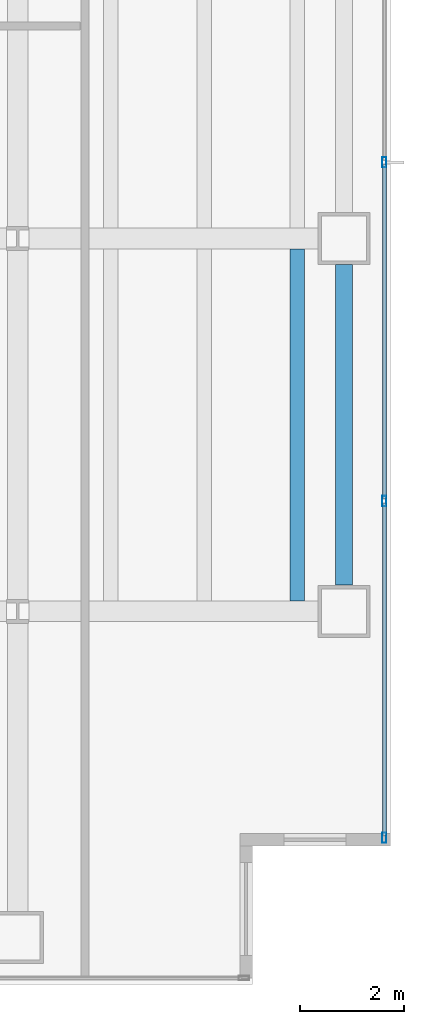
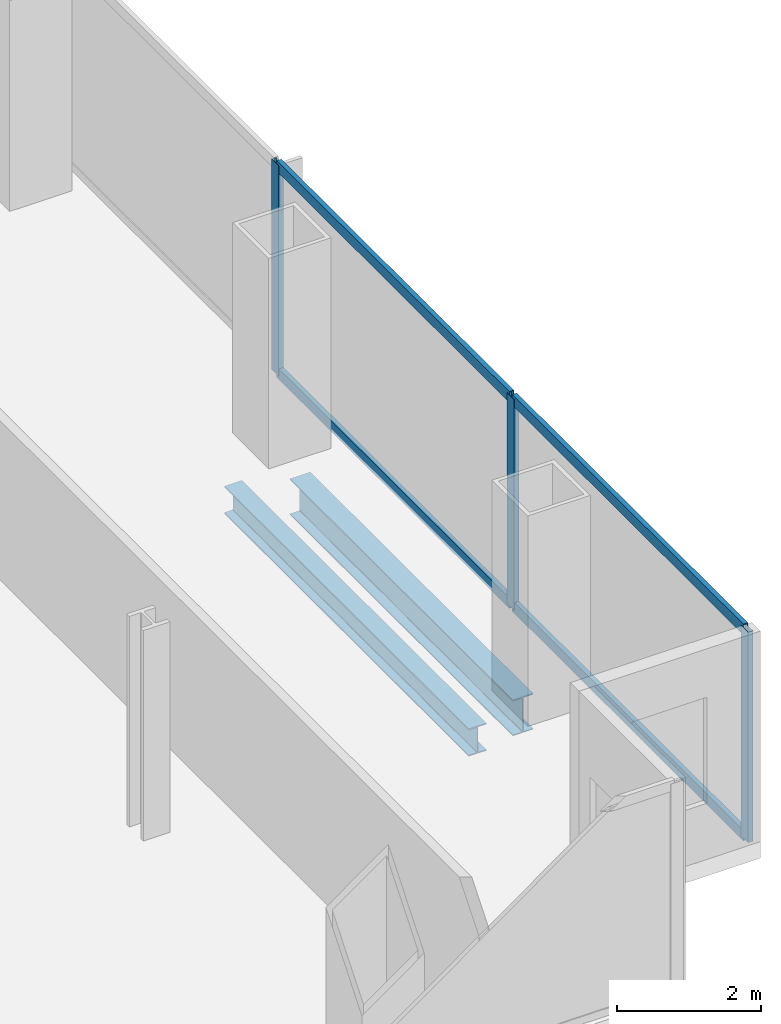
# One storey, part 10 of 25: 7 members, 2 beams, 1 element without a shape of its own.
"""IFC4 building model written with IfcOpenShell, lengths in metres."""

import ifcopenshell
import ifcopenshell.guid

model = None  # the IFC model being written
_history = None  # IfcOwnerHistory: only IFC2X3 demands one
_inside = {}  # id of a spatial element -> (the spatial element, [elements in it])
_under = {}  # id of a project, library or spatial element -> (it, [spatial elements below it])
_declared = {}  # id of a project -> (the project, [libraries it declares])
_typed = {}  # id of a type object -> (the type object, [elements of that type])
_made_of = {}  # id of a material, layer set ... -> (it, [elements and type objects made of it])


def new_model(schema):
    """Start an empty IFC model of exactly this schema.

    Asked for "IFC4X3", IfcOpenShell would pick the latest addendum, in which some entities
    have other attributes; the version numbers below select the first issue.
    IFC2X3 requires an IfcOwnerHistory on every rooted entity: one is made here for all.
    """
    global model, _history
    if schema == "IFC4X3":
        model = ifcopenshell.file(schema_version=(4, 3, 0, 0))
    else:
        model = ifcopenshell.file(schema=schema)
    _inside.clear()
    _under.clear()
    _declared.clear()
    _typed.clear()
    _made_of.clear()
    _history = None
    if model.schema == "IFC2X3":
        org = make("IfcOrganization", Name="unknown")
        user = make(
            "IfcPersonAndOrganization",
            ThePerson=make("IfcPerson", FamilyName="unknown"),
            TheOrganization=org,
        )
        app = make(
            "IfcApplication",
            ApplicationDeveloper=org,
            Version="unknown",
            ApplicationFullName="unknown",
            ApplicationIdentifier="unknown",
        )
        _history = make(
            "IfcOwnerHistory",
            OwningUser=user,
            OwningApplication=app,
            ChangeAction="ADDED",
            CreationDate=0,
        )
    return model


def make(cls, **values):
    """One entity of the class cls with the attributes given. An attribute that is None is left unset."""
    return model.create_entity(
        cls, **{name: value for name, value in values.items() if value is not None}
    )


def rooted(cls, **values):
    """An entity with a GlobalId (a new one), such as an element, a storey or a relation."""
    return make(cls, GlobalId=ifcopenshell.guid.new(), OwnerHistory=_history, **values)


def si_unit(unit_type, name, prefix=None):
    """IfcSIUnit, for example si_unit("LENGTHUNIT", "METRE", prefix="MILLI")."""
    return make("IfcSIUnit", UnitType=unit_type, Prefix=prefix, Name=name)


def assignment(units):
    """IfcUnitAssignment: the units of a project."""
    return None if units is None else make("IfcUnitAssignment", Units=units)


def point(xyz):
    """IfcCartesianPoint."""
    return None if xyz is None else make("IfcCartesianPoint", Coordinates=xyz)


def direction(xyz):
    """IfcDirection."""
    return None if xyz is None else make("IfcDirection", DirectionRatios=xyz)


def frame(location, z_axis=None, x_axis=None):
    """IfcAxis2Placement3D, a coordinate frame: its origin and axes. An axis left out is left unset."""
    return make(
        "IfcAxis2Placement3D",
        Location=point(location),
        Axis=direction(z_axis),
        RefDirection=direction(x_axis),
    )


def frame_2d(location, x_axis=None):
    """IfcAxis2Placement2D, a coordinate frame in the plane: its origin and x axis."""
    return make(
        "IfcAxis2Placement2D", Location=point(location), RefDirection=direction(x_axis)
    )


def origin():
    """The frame at (0, 0, 0) with its axes left unset."""
    return frame((0.0, 0.0, 0.0))


def origin_2d():
    """The frame at (0, 0) in the plane with its x axis left unset."""
    return frame_2d((0.0, 0.0))


def place(relative_to, where):
    """IfcLocalPlacement: puts the frame where relative to a parent placement (None: the world)."""
    return make(
        "IfcLocalPlacement", PlacementRelTo=relative_to, RelativePlacement=where
    )


def context(
    kind, dimensions, precision=None, world=None, true_north=None, identifier=None
):
    """IfcGeometricRepresentationContext, for example the 3D "Model" context."""
    return make(
        "IfcGeometricRepresentationContext",
        ContextIdentifier=identifier,
        ContextType=kind,
        CoordinateSpaceDimension=dimensions,
        Precision=precision,
        WorldCoordinateSystem=world,
        TrueNorth=true_north,
    )


def subcontext(parent, identifier, kind, view, scale=None):
    """IfcGeometricRepresentationSubContext, for example "Body" below "Model"."""
    return make(
        "IfcGeometricRepresentationSubContext",
        ContextIdentifier=identifier,
        ContextType=kind,
        ParentContext=parent,
        TargetScale=scale,
        TargetView=view,
    )


def project(units=None, contexts=None):
    """IfcProject with its units and contexts."""
    return rooted(
        "IfcProject",
        Name="project",
        RepresentationContexts=contexts,
        UnitsInContext=assignment(units),
    )


def spatial(cls, under=None, at=None, **own):
    """A site, building, storey or space (cls), placed at a placement, below another one or the project."""
    s = rooted(cls, ObjectPlacement=at, **own)
    if under is not None:
        _under.setdefault(under.id(), (under, []))[1].append(s)
    return s


def profile(cls, at=None, kind="AREA", **sizes):
    """A parametric profile (cls). Its sizes go by their IFC names, for example OverallWidth=200.0."""
    return make(cls, ProfileType=kind, Position=at, **sizes)


def hollow_rectangle(**sizes):
    """IfcRectangleHollowProfileDef."""
    return profile("IfcRectangleHollowProfileDef", **sizes)


def i_section(**sizes):
    """IfcIShapeProfileDef."""
    return profile("IfcIShapeProfileDef", **sizes)


def extrude(swept, where, along, depth):
    """IfcExtrudedAreaSolid: the profile swept, set in the frame where, extruded along a direction by depth."""
    return make(
        "IfcExtrudedAreaSolid",
        SweptArea=swept,
        Position=where,
        ExtrudedDirection=direction(along),
        Depth=depth,
    )


def shape(context_of_items, identifier, shape_type, items):
    """IfcShapeRepresentation: the items that make up one representation, for example the "Body"."""
    return make(
        "IfcShapeRepresentation",
        ContextOfItems=context_of_items,
        RepresentationIdentifier=identifier,
        RepresentationType=shape_type,
        Items=items,
    )


def material(Name=None, Category=None):
    """IfcMaterial."""
    return make("IfcMaterial", Name=Name, Category=Category)


def material_profile(
    of_material, cross_section, Name=None, Category=None, Priority=None
):
    """IfcMaterialProfile: a cross section and its material."""
    return make(
        "IfcMaterialProfile",
        Name=Name,
        Material=of_material,
        Profile=cross_section,
        Priority=Priority,
        Category=Category,
    )


def profile_set(profiles, Name=None, composite=None):
    """IfcMaterialProfileSet."""
    return make(
        "IfcMaterialProfileSet",
        Name=Name,
        MaterialProfiles=profiles,
        CompositeProfile=composite,
    )


def made_of(thing, what):
    """Note that an element or type object is made of a material, layer set ...; save() writes the relation."""
    if what is not None:
        _made_of.setdefault(what.id(), (what, []))[1].append(thing)
    return thing


def type_object(cls, material=None, **own):
    """A type object (cls), such as IfcWallType, which elements share."""
    return made_of(rooted(cls, **own), material)


def element(
    cls,
    number,
    at=None,
    inside=None,
    cuts=None,
    type_object=None,
    material=None,
    context=None,
    identifier="Body",
    shape_type=None,
    held_by="IfcProductDefinitionShape",
    body=None,
    shapes=None,
    **own,
):
    """One element of the class cls, such as IfcWall. Its Tag is "e" and its number.

    at: its placement. inside: the storey or other place that contains it. cuts: it is an
    opening in that element (IfcRelVoidsElement). A single representation is given by context,
    identifier, shape_type and body (its items); several are given by shapes. held_by: the class
    of the entity that holds the representations. save() writes the other relations.
    """
    e = rooted(cls, Tag="e%d" % number, ObjectPlacement=at, **own)
    if body is not None:
        shapes = [shape(context, identifier, shape_type, body)]
    if shapes is not None:
        e.Representation = make(held_by, Representations=shapes)
    if inside is not None:
        _inside.setdefault(inside.id(), (inside, []))[1].append(e)
    if cuts is not None:
        rooted(
            "IfcRelVoidsElement", RelatingBuildingElement=cuts, RelatedOpeningElement=e
        )
    if type_object is not None:
        _typed.setdefault(type_object.id(), (type_object, []))[1].append(e)
    return made_of(e, material)


def aggregate(whole, parts):
    """IfcRelAggregates: a whole, such as a stair, and the parts it consists of."""
    return rooted("IfcRelAggregates", RelatingObject=whole, RelatedObjects=parts)


def save(model, path):
    """Write the relations noted so far, then the file.

    IfcRelAggregates (storeys below a building ...), IfcRelContainedInSpatialStructure (elements
    in a storey), IfcRelDefinesByType, IfcRelAssociatesMaterial and IfcRelDeclares: one each for
    every whole, place, type object, material and project.
    """
    for whole, parts in _under.values():
        aggregate(whole, parts)
    for where, things in _inside.values():
        rooted(
            "IfcRelContainedInSpatialStructure",
            RelatedElements=things,
            RelatingStructure=where,
        )
    for kind, things in _typed.values():
        rooted("IfcRelDefinesByType", RelatedObjects=things, RelatingType=kind)
    for what, things in _made_of.values():
        rooted("IfcRelAssociatesMaterial", RelatedObjects=things, RelatingMaterial=what)
    for by, libraries in _declared.values():
        rooted("IfcRelDeclares", RelatingContext=by, RelatedDefinitions=libraries)
    model.write(path)


model = new_model("IFC4")

# Units and contexts
model_context = context("Model", 3, precision=1e-05, world=origin(), true_north=direction((0.0, 1.0)))
body_context = subcontext(model_context, "Body", "Model", "MODEL_VIEW")
ifc_project = project(units=[si_unit("LENGTHUNIT", "METRE"), si_unit("AREAUNIT", "SQUARE_METRE"), si_unit("VOLUMEUNIT", "CUBIC_METRE"), si_unit("PLANEANGLEUNIT", "RADIAN"), si_unit("MASSUNIT", "GRAM", prefix="KILO")], contexts=[model_context])

# Site, building, storey
site_placement = place(None, origin())
site = spatial("IfcSite", under=ifc_project, at=site_placement, CompositionType="ELEMENT")
building_placement = place(site_placement, origin())
building = spatial("IfcBuilding", under=site, at=building_placement, Name="Cobrela Telecom Tower", CompositionType="ELEMENT")
storey_placement = place(building_placement, frame((0.0, 0.0, 58.10009765625)))
storey = spatial("IfcBuildingStorey", under=building, at=storey_placement, Name="L14", CompositionType="ELEMENT", Elevation=58.10009765625)

# Beams
ifc_material_1 = material(Name="Steel ASTM A992 Grade 50", Category="steel")
ifc_material_profile_1 = material_profile(ifc_material_1, i_section(OverallWidth=0.281982421875, OverallDepth=0.467041015625, WebThickness=0.01220703125, FlangeThickness=0.01953125, FilletRadius=0.012939453125, at=origin_2d()), Name="W18X86")
ifc_profile_set_1 = profile_set([ifc_material_profile_1], Name="Steel ASTM A992 Grade 50")
beam_type_1 = type_object("IfcBeamType", Name="BM-JOIST-02", PredefinedType="JOIST", material=ifc_profile_set_1)
beam_1_placement = place(storey_placement, frame((48.60009765625, 7.404541015625, -0.513671875), z_axis=(0.0, 1.0, 0.0), x_axis=(-1.0, 0.0, 0.0)))
element("IfcBeam", 1, at=beam_1_placement, inside=storey, type_object=beam_type_1, Name="L14 Secondary Composite Floor Beam J63", PredefinedType="JOIST", context=body_context, shape_type="SweptSolid", body=[
    extrude(i_section(OverallWidth=0.281982421875, OverallDepth=0.467041015625, WebThickness=0.01220703125, FlangeThickness=0.01953125, FilletRadius=0.012939453125, at=origin_2d()), origin(), (0.0, 0.0, 1.0), 6.791015625),
])
ifc_material_profile_2 = material_profile(ifc_material_1, i_section(OverallWidth=0.324951171875, OverallDepth=0.612060546875, WebThickness=0.0126953125, FlangeThickness=0.01904296875, FilletRadius=0.014892578125, at=origin_2d()), Name="W24X104")
ifc_profile_set_2 = profile_set([ifc_material_profile_2], Name="Steel ASTM A992 Grade 50")
beam_type_2 = type_object("IfcBeamType", Name="BM-SPAND-02", PredefinedType="SPANDREL", material=ifc_profile_set_2)
beam_2_placement = place(storey_placement, frame((49.5, 7.705078125, -0.586181640625), z_axis=(0.0, 1.0, 0.0), x_axis=(-1.0, 0.0, 0.0)))
element("IfcBeam", 2, at=beam_2_placement, inside=storey, type_object=beam_type_2, Name="L14 Perimeter Spandrel Y56", PredefinedType="SPANDREL", context=body_context, shape_type="SweptSolid", body=[
    extrude(i_section(OverallWidth=0.324951171875, OverallDepth=0.612060546875, WebThickness=0.0126953125, FlangeThickness=0.01904296875, FilletRadius=0.014892578125, at=origin_2d()), origin(), (0.0, 0.0, 1.0), 6.18994140625),
])

# Curtain wall, members
ifc_material_2 = material(Name="Anodized Bronze Aluminium 6063-T6", Category="aluminium")
curtain_wall_type = type_object("IfcCurtainWallType", Name="CW-SYS-DATA", PredefinedType="USERDEFINED", material=ifc_material_2)
curtain_wall_placement = place(storey_placement, origin())
curtain_wall = element("IfcCurtainWall", 3, at=curtain_wall_placement, inside=storey, type_object=curtain_wall_type, Name="L14 Unitised Bronze Curtain Wall 14", ObjectType="UNITISED CURTAIN WALL", PredefinedType="USERDEFINED")
ifc_material_profile_3 = material_profile(ifc_material_2, hollow_rectangle(XDim=0.080078125, YDim=0.199951171875, WallThickness=0.00390625, at=origin_2d()), Name="ALU 80x200x4")
ifc_profile_set_3 = profile_set([ifc_material_profile_3], Name="Anodized Bronze Aluminium 6063-T6")
member_type_1 = type_object("IfcMemberType", Name="CW-SYS-DATA-MUL", PredefinedType="MULLION", material=ifc_profile_set_3)
member_1_placement = place(storey_placement, frame((50.280029296875, 15.8701171875, 0.0), z_axis=(0.0, 0.0, 1.0), x_axis=(1.0, 0.0, 0.0)))
member_1 = element("IfcMember", 4, at=member_1_placement, type_object=member_type_1, Name="CW-DATA mullion 2", PredefinedType="MULLION", context=body_context, shape_type="SweptSolid", body=[
    extrude(hollow_rectangle(XDim=0.080078125, YDim=0.199951171875, WallThickness=0.00390625, at=origin_2d()), origin(), (0.0, 0.0, 1.0), 3.56982421875),
])
member_2_placement = place(storey_placement, frame((50.280029296875, 9.330078125, 0.0), z_axis=(0.0, 0.0, 1.0), x_axis=(1.0, 0.0, 0.0)))
member_2 = element("IfcMember", 5, at=member_2_placement, type_object=member_type_1, Name="CW-DATA mullion 3", PredefinedType="MULLION", context=body_context, shape_type="SweptSolid", body=[
    extrude(hollow_rectangle(XDim=0.080078125, YDim=0.199951171875, WallThickness=0.00390625, at=origin_2d()), origin(), (0.0, 0.0, 1.0), 3.56982421875),
])
member_3_placement = place(storey_placement, frame((50.280029296875, 2.830078125, 0.0), z_axis=(0.0, 0.0, 1.0), x_axis=(1.0, 0.0, 0.0)))
member_3 = element("IfcMember", 6, at=member_3_placement, type_object=member_type_1, Name="CW-DATA mullion 4", PredefinedType="MULLION", context=body_context, shape_type="SweptSolid", body=[
    extrude(hollow_rectangle(XDim=0.080078125, YDim=0.199951171875, WallThickness=0.00390625, at=origin_2d()), origin(), (0.0, 0.0, 1.0), 3.56982421875),
])
ifc_material_profile_4 = material_profile(ifc_material_2, hollow_rectangle(XDim=0.074951171875, YDim=0.179931640625, WallThickness=0.00390625, at=origin_2d()), Name="ALU 75x180x4")
ifc_profile_set_4 = profile_set([ifc_material_profile_4], Name="Anodized Bronze Aluminium 6063-T6")
member_type_2 = type_object("IfcMemberType", Name="CW-SYS-DATA-TRN", PredefinedType="USERDEFINED", material=ifc_profile_set_4)
member_4_placement = place(storey_placement, frame((50.280029296875, 15.830078125, 0.037353515625), z_axis=(0.0, -1.0, 0.0), x_axis=(1.0, 0.0, 0.0)))
member_4 = element("IfcMember", 7, at=member_4_placement, type_object=member_type_2, Name="CW-DATA transom 2.1", ObjectType="TRANSOM", PredefinedType="USERDEFINED", context=body_context, shape_type="SweptSolid", body=[
    extrude(hollow_rectangle(XDim=0.074951171875, YDim=0.179931640625, WallThickness=0.00390625, at=origin_2d()), origin(), (0.0, 0.0, 1.0), 6.4599609375),
])
member_5_placement = place(storey_placement, frame((50.280029296875, 15.830078125, 3.532470703125), z_axis=(0.0, -1.0, 0.0), x_axis=(1.0, 0.0, 0.0)))
member_5 = element("IfcMember", 8, at=member_5_placement, type_object=member_type_2, Name="CW-DATA transom 2.2", ObjectType="TRANSOM", PredefinedType="USERDEFINED", context=body_context, shape_type="SweptSolid", body=[
    extrude(hollow_rectangle(XDim=0.074951171875, YDim=0.179931640625, WallThickness=0.00390625, at=origin_2d()), origin(), (0.0, 0.0, 1.0), 6.4599609375),
])
member_6_placement = place(storey_placement, frame((50.280029296875, 9.2900390625, 0.037353515625), z_axis=(0.0, -1.0, 0.0), x_axis=(1.0, 0.0, 0.0)))
member_6 = element("IfcMember", 9, at=member_6_placement, type_object=member_type_2, Name="CW-DATA transom 3.1", ObjectType="TRANSOM", PredefinedType="USERDEFINED", context=body_context, shape_type="SweptSolid", body=[
    extrude(hollow_rectangle(XDim=0.074951171875, YDim=0.179931640625, WallThickness=0.00390625, at=origin_2d()), origin(), (0.0, 0.0, 1.0), 6.419921875),
])
member_7_placement = place(storey_placement, frame((50.280029296875, 9.2900390625, 3.532470703125), z_axis=(0.0, -1.0, 0.0), x_axis=(1.0, 0.0, 0.0)))
member_7 = element("IfcMember", 10, at=member_7_placement, type_object=member_type_2, Name="CW-DATA transom 3.2", ObjectType="TRANSOM", PredefinedType="USERDEFINED", context=body_context, shape_type="SweptSolid", body=[
    extrude(hollow_rectangle(XDim=0.074951171875, YDim=0.179931640625, WallThickness=0.00390625, at=origin_2d()), origin(), (0.0, 0.0, 1.0), 6.419921875),
])
aggregate(curtain_wall, [member_1, member_2, member_3, member_4, member_5, member_6, member_7])

save(model, "model.ifc")
